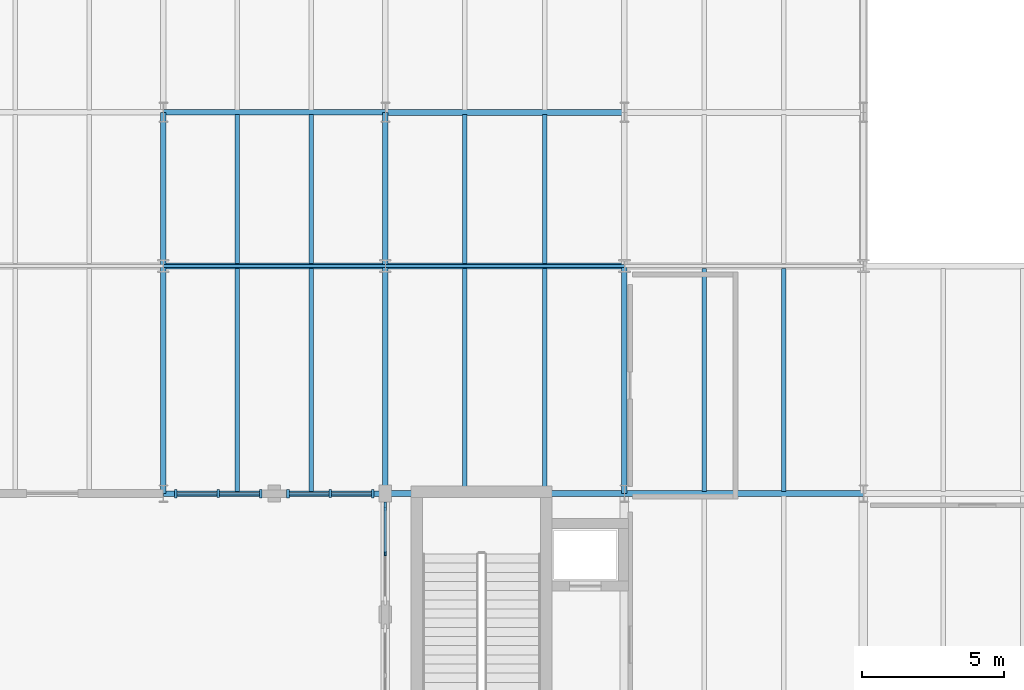
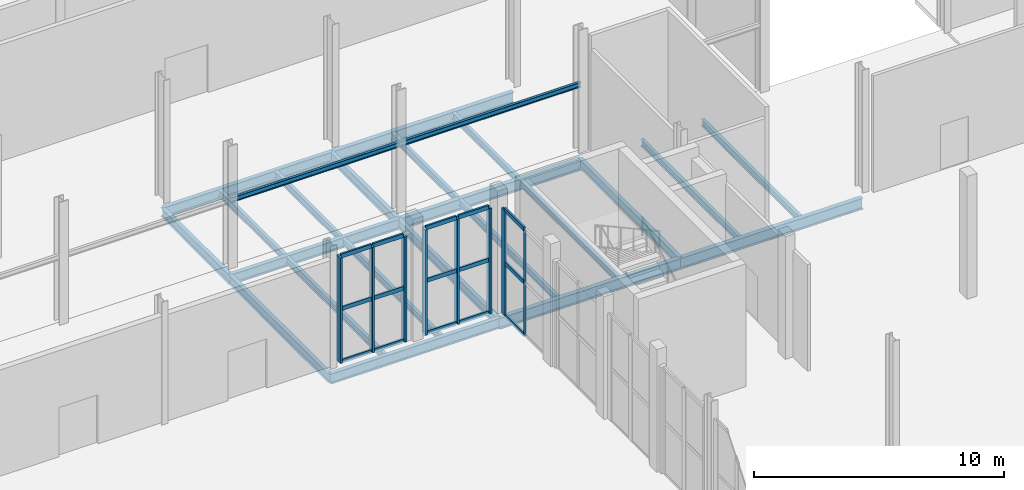
# One storey, part 38 of 84: 24 beams, 23 members, 3 elements without a shape of their own.
"""IFC4 building model written with IfcOpenShell, lengths in metres."""

import ifcopenshell
import ifcopenshell.guid

model = None  # the IFC model being written
_history = None  # IfcOwnerHistory: only IFC2X3 demands one
_inside = {}  # id of a spatial element -> (the spatial element, [elements in it])
_under = {}  # id of a project, library or spatial element -> (it, [spatial elements below it])
_declared = {}  # id of a project -> (the project, [libraries it declares])
_typed = {}  # id of a type object -> (the type object, [elements of that type])
_made_of = {}  # id of a material, layer set ... -> (it, [elements and type objects made of it])


def new_model(schema):
    """Start an empty IFC model of exactly this schema.

    Asked for "IFC4X3", IfcOpenShell would pick the latest addendum, in which some entities
    have other attributes; the version numbers below select the first issue.
    IFC2X3 requires an IfcOwnerHistory on every rooted entity: one is made here for all.
    """
    global model, _history
    if schema == "IFC4X3":
        model = ifcopenshell.file(schema_version=(4, 3, 0, 0))
    else:
        model = ifcopenshell.file(schema=schema)
    _inside.clear()
    _under.clear()
    _declared.clear()
    _typed.clear()
    _made_of.clear()
    _history = None
    if model.schema == "IFC2X3":
        org = make("IfcOrganization", Name="unknown")
        user = make(
            "IfcPersonAndOrganization",
            ThePerson=make("IfcPerson", FamilyName="unknown"),
            TheOrganization=org,
        )
        app = make(
            "IfcApplication",
            ApplicationDeveloper=org,
            Version="unknown",
            ApplicationFullName="unknown",
            ApplicationIdentifier="unknown",
        )
        _history = make(
            "IfcOwnerHistory",
            OwningUser=user,
            OwningApplication=app,
            ChangeAction="ADDED",
            CreationDate=0,
        )
    return model


def make(cls, **values):
    """One entity of the class cls with the attributes given. An attribute that is None is left unset."""
    return model.create_entity(
        cls, **{name: value for name, value in values.items() if value is not None}
    )


def rooted(cls, **values):
    """An entity with a GlobalId (a new one), such as an element, a storey or a relation."""
    return make(cls, GlobalId=ifcopenshell.guid.new(), OwnerHistory=_history, **values)


def si_unit(unit_type, name, prefix=None):
    """IfcSIUnit, for example si_unit("LENGTHUNIT", "METRE", prefix="MILLI")."""
    return make("IfcSIUnit", UnitType=unit_type, Prefix=prefix, Name=name)


def assignment(units):
    """IfcUnitAssignment: the units of a project."""
    return None if units is None else make("IfcUnitAssignment", Units=units)


def point(xyz):
    """IfcCartesianPoint."""
    return None if xyz is None else make("IfcCartesianPoint", Coordinates=xyz)


def direction(xyz):
    """IfcDirection."""
    return None if xyz is None else make("IfcDirection", DirectionRatios=xyz)


def frame(location, z_axis=None, x_axis=None):
    """IfcAxis2Placement3D, a coordinate frame: its origin and axes. An axis left out is left unset."""
    return make(
        "IfcAxis2Placement3D",
        Location=point(location),
        Axis=direction(z_axis),
        RefDirection=direction(x_axis),
    )


def frame_2d(location, x_axis=None):
    """IfcAxis2Placement2D, a coordinate frame in the plane: its origin and x axis."""
    return make(
        "IfcAxis2Placement2D", Location=point(location), RefDirection=direction(x_axis)
    )


def origin():
    """The frame at (0, 0, 0) with its axes left unset."""
    return frame((0.0, 0.0, 0.0))


def origin_2d():
    """The frame at (0, 0) in the plane with its x axis left unset."""
    return frame_2d((0.0, 0.0))


def place(relative_to, where):
    """IfcLocalPlacement: puts the frame where relative to a parent placement (None: the world)."""
    return make(
        "IfcLocalPlacement", PlacementRelTo=relative_to, RelativePlacement=where
    )


def context(
    kind, dimensions, precision=None, world=None, true_north=None, identifier=None
):
    """IfcGeometricRepresentationContext, for example the 3D "Model" context."""
    return make(
        "IfcGeometricRepresentationContext",
        ContextIdentifier=identifier,
        ContextType=kind,
        CoordinateSpaceDimension=dimensions,
        Precision=precision,
        WorldCoordinateSystem=world,
        TrueNorth=true_north,
    )


def subcontext(parent, identifier, kind, view, scale=None):
    """IfcGeometricRepresentationSubContext, for example "Body" below "Model"."""
    return make(
        "IfcGeometricRepresentationSubContext",
        ContextIdentifier=identifier,
        ContextType=kind,
        ParentContext=parent,
        TargetScale=scale,
        TargetView=view,
    )


def project(units=None, contexts=None):
    """IfcProject with its units and contexts."""
    return rooted(
        "IfcProject",
        Name="project",
        RepresentationContexts=contexts,
        UnitsInContext=assignment(units),
    )


def spatial(cls, under=None, at=None, **own):
    """A site, building, storey or space (cls), placed at a placement, below another one or the project."""
    s = rooted(cls, ObjectPlacement=at, **own)
    if under is not None:
        _under.setdefault(under.id(), (under, []))[1].append(s)
    return s


def profile(cls, at=None, kind="AREA", **sizes):
    """A parametric profile (cls). Its sizes go by their IFC names, for example OverallWidth=200.0."""
    return make(cls, ProfileType=kind, Position=at, **sizes)


def rectangle(**sizes):
    """IfcRectangleProfileDef."""
    return profile("IfcRectangleProfileDef", **sizes)


def i_section(**sizes):
    """IfcIShapeProfileDef."""
    return profile("IfcIShapeProfileDef", **sizes)


def extrude(swept, where, along, depth):
    """IfcExtrudedAreaSolid: the profile swept, set in the frame where, extruded along a direction by depth."""
    return make(
        "IfcExtrudedAreaSolid",
        SweptArea=swept,
        Position=where,
        ExtrudedDirection=direction(along),
        Depth=depth,
    )


def shape(context_of_items, identifier, shape_type, items):
    """IfcShapeRepresentation: the items that make up one representation, for example the "Body"."""
    return make(
        "IfcShapeRepresentation",
        ContextOfItems=context_of_items,
        RepresentationIdentifier=identifier,
        RepresentationType=shape_type,
        Items=items,
    )


def material(Name=None, Category=None):
    """IfcMaterial."""
    return make("IfcMaterial", Name=Name, Category=Category)


def layer(
    of_material, thickness, ventilated=None, Name=None, Category=None, Priority=None
):
    """IfcMaterialLayer: one layer of a wall or slab, of a material (None: an air gap)."""
    return make(
        "IfcMaterialLayer",
        Material=of_material,
        LayerThickness=thickness,
        IsVentilated=ventilated,
        Name=Name,
        Category=Category,
        Priority=Priority,
    )


def layer_set(layers, Name=None):
    """IfcMaterialLayerSet."""
    return make("IfcMaterialLayerSet", MaterialLayers=layers, LayerSetName=Name)


def material_profile(
    of_material, cross_section, Name=None, Category=None, Priority=None
):
    """IfcMaterialProfile: a cross section and its material."""
    return make(
        "IfcMaterialProfile",
        Name=Name,
        Material=of_material,
        Profile=cross_section,
        Priority=Priority,
        Category=Category,
    )


def profile_set(profiles, Name=None, composite=None):
    """IfcMaterialProfileSet."""
    return make(
        "IfcMaterialProfileSet",
        Name=Name,
        MaterialProfiles=profiles,
        CompositeProfile=composite,
    )


def made_of(thing, what):
    """Note that an element or type object is made of a material, layer set ...; save() writes the relation."""
    if what is not None:
        _made_of.setdefault(what.id(), (what, []))[1].append(thing)
    return thing


def type_object(cls, material=None, **own):
    """A type object (cls), such as IfcWallType, which elements share."""
    return made_of(rooted(cls, **own), material)


def element(
    cls,
    number,
    at=None,
    inside=None,
    cuts=None,
    type_object=None,
    material=None,
    context=None,
    identifier="Body",
    shape_type=None,
    held_by="IfcProductDefinitionShape",
    body=None,
    shapes=None,
    **own,
):
    """One element of the class cls, such as IfcWall. Its Tag is "e" and its number.

    at: its placement. inside: the storey or other place that contains it. cuts: it is an
    opening in that element (IfcRelVoidsElement). A single representation is given by context,
    identifier, shape_type and body (its items); several are given by shapes. held_by: the class
    of the entity that holds the representations. save() writes the other relations.
    """
    e = rooted(cls, Tag="e%d" % number, ObjectPlacement=at, **own)
    if body is not None:
        shapes = [shape(context, identifier, shape_type, body)]
    if shapes is not None:
        e.Representation = make(held_by, Representations=shapes)
    if inside is not None:
        _inside.setdefault(inside.id(), (inside, []))[1].append(e)
    if cuts is not None:
        rooted(
            "IfcRelVoidsElement", RelatingBuildingElement=cuts, RelatedOpeningElement=e
        )
    if type_object is not None:
        _typed.setdefault(type_object.id(), (type_object, []))[1].append(e)
    return made_of(e, material)


def aggregate(whole, parts):
    """IfcRelAggregates: a whole, such as a stair, and the parts it consists of."""
    return rooted("IfcRelAggregates", RelatingObject=whole, RelatedObjects=parts)


def save(model, path):
    """Write the relations noted so far, then the file.

    IfcRelAggregates (storeys below a building ...), IfcRelContainedInSpatialStructure (elements
    in a storey), IfcRelDefinesByType, IfcRelAssociatesMaterial and IfcRelDeclares: one each for
    every whole, place, type object, material and project.
    """
    for whole, parts in _under.values():
        aggregate(whole, parts)
    for where, things in _inside.values():
        rooted(
            "IfcRelContainedInSpatialStructure",
            RelatedElements=things,
            RelatingStructure=where,
        )
    for kind, things in _typed.values():
        rooted("IfcRelDefinesByType", RelatedObjects=things, RelatingType=kind)
    for what, things in _made_of.values():
        rooted("IfcRelAssociatesMaterial", RelatedObjects=things, RelatingMaterial=what)
    for by, libraries in _declared.values():
        rooted("IfcRelDeclares", RelatingContext=by, RelatedDefinitions=libraries)
    model.write(path)


model = new_model("IFC4")

# Units and contexts
model_context = context("Model", 3, precision=1e-05, world=origin(), true_north=direction((0.0, 1.0)))
body_context = subcontext(model_context, "Body", "Model", "MODEL_VIEW")
ifc_project = project(units=[si_unit("LENGTHUNIT", "METRE"), si_unit("AREAUNIT", "SQUARE_METRE"), si_unit("VOLUMEUNIT", "CUBIC_METRE"), si_unit("PLANEANGLEUNIT", "RADIAN"), si_unit("MASSUNIT", "GRAM", prefix="KILO")], contexts=[model_context])

# Site, building, storey
site_placement = place(None, origin())
site = spatial("IfcSite", under=ifc_project, at=site_placement, CompositionType="ELEMENT")
building_placement = place(site_placement, origin())
building = spatial("IfcBuilding", under=site, at=building_placement, Name="Sefraquen Railside Congress Hotel", CompositionType="ELEMENT")
storey_placement = place(building_placement, origin())
storey = spatial("IfcBuildingStorey", under=building, at=storey_placement, Name="L00", CompositionType="ELEMENT", Elevation=0.0)

# Beams
ifc_material_1 = material(Name="Steel S355JR", Category="steel")
ifc_material_profile_1 = material_profile(ifc_material_1, i_section(OverallWidth=0.18994140625, OverallDepth=0.449951171875, WebThickness=0.009521484375, FlangeThickness=0.0146484375, FilletRadius=0.02099609375, at=origin_2d()), Name="IPE 450")
ifc_profile_set_1 = profile_set([ifc_material_profile_1], Name="Steel S355JR")
beam_type_1 = type_object("IfcBeamType", Name="TB-BM-450", PredefinedType="BEAM", material=ifc_profile_set_1)
beam_1_placement = place(storey_placement, frame((95.39990234375, 88.0, -0.625), z_axis=(0.0, 1.0, 0.0), x_axis=(-1.0, 0.0, 0.0)))
element("IfcBeam", 1, at=beam_1_placement, inside=storey, type_object=beam_type_1, Name="Floor beam BM-L00-0268", PredefinedType="BEAM", context=body_context, shape_type="SweptSolid", body=[
    extrude(i_section(OverallWidth=0.18994140625, OverallDepth=0.449951171875, WebThickness=0.009521484375, FlangeThickness=0.0146484375, FilletRadius=0.02099609375, at=origin_2d()), origin(), (0.0, 0.0, 1.0), 8.0),
])
beam_2_placement = place(storey_placement, frame((95.39990234375, 96.0, -0.625), z_axis=(0.0, 1.0, 0.0), x_axis=(-1.0, 0.0, 0.0)))
element("IfcBeam", 2, at=beam_2_placement, inside=storey, type_object=beam_type_1, Name="Floor beam BM-L00-0269", PredefinedType="BEAM", context=body_context, shape_type="SweptSolid", body=[
    extrude(i_section(OverallWidth=0.18994140625, OverallDepth=0.449951171875, WebThickness=0.009521484375, FlangeThickness=0.0146484375, FilletRadius=0.02099609375, at=origin_2d()), origin(), (0.0, 0.0, 1.0), 5.39990234375),
])
beam_3_placement = place(storey_placement, frame((103.199951171875, 88.0, -0.625), z_axis=(0.0, 1.0, 0.0), x_axis=(-1.0, 0.0, 0.0)))
element("IfcBeam", 3, at=beam_3_placement, inside=storey, type_object=beam_type_1, Name="Floor beam BM-L00-0281", PredefinedType="BEAM", context=body_context, shape_type="SweptSolid", body=[
    extrude(i_section(OverallWidth=0.18994140625, OverallDepth=0.449951171875, WebThickness=0.009521484375, FlangeThickness=0.0146484375, FilletRadius=0.02099609375, at=origin_2d()), origin(), (0.0, 0.0, 1.0), 8.0),
])
beam_4_placement = place(storey_placement, frame((103.199951171875, 96.0, -0.625), z_axis=(0.0, 1.0, 0.0), x_axis=(-1.0, 0.0, 0.0)))
element("IfcBeam", 4, at=beam_4_placement, inside=storey, type_object=beam_type_1, Name="Floor beam BM-L00-0282", PredefinedType="BEAM", context=body_context, shape_type="SweptSolid", body=[
    extrude(i_section(OverallWidth=0.18994140625, OverallDepth=0.449951171875, WebThickness=0.009521484375, FlangeThickness=0.0146484375, FilletRadius=0.02099609375, at=origin_2d()), origin(), (0.0, 0.0, 1.0), 5.39990234375),
])
beam_5_placement = place(storey_placement, frame((111.60009765625, 88.0, -0.625), z_axis=(0.0, 1.0, 0.0), x_axis=(-1.0, 0.0, 0.0)))
element("IfcBeam", 5, at=beam_5_placement, inside=storey, type_object=beam_type_1, Name="Floor beam BM-L00-0289", PredefinedType="BEAM", context=body_context, shape_type="SweptSolid", body=[
    extrude(i_section(OverallWidth=0.18994140625, OverallDepth=0.449951171875, WebThickness=0.009521484375, FlangeThickness=0.0146484375, FilletRadius=0.02099609375, at=origin_2d()), origin(), (0.0, 0.0, 1.0), 8.0),
])
ifc_material_profile_2 = material_profile(ifc_material_1, i_section(OverallWidth=0.199951171875, OverallDepth=0.5, WebThickness=0.01025390625, FlangeThickness=0.01611328125, FilletRadius=0.02099609375, at=origin_2d()), Name="IPE 500")
ifc_profile_set_2 = profile_set([ifc_material_profile_2], Name="Steel S355JR")
beam_type_2 = type_object("IfcBeamType", Name="TB-BM-500", PredefinedType="BEAM", material=ifc_profile_set_2)
for number, where, z_axis, x_axis, name in (
    (6, (95.39990234375, 88.0, -0.64990234375), (1.0, 0.0, 0.0), (0.0, 1.0, 0.0), "Primary girder BM-L00-0110"),
    (7, (95.39990234375, 96.0, -0.64990234375), (1.0, 0.0, 0.0), (0.0, 1.0, 0.0), "Primary girder BM-L00-0126"),
    (8, (95.39990234375, 101.39990234375, -0.64990234375), (1.0, 0.0, 0.0), (0.0, 1.0, 0.0), "Primary girder BM-L00-0144"),
):
    element("IfcBeam", number, at=place(storey_placement, frame(where, z_axis=z_axis, x_axis=x_axis)), inside=storey, type_object=beam_type_2, Name=name, PredefinedType="BEAM", context=body_context, shape_type="SweptSolid", body=[
        extrude(i_section(OverallWidth=0.199951171875, OverallDepth=0.5, WebThickness=0.01025390625, FlangeThickness=0.01611328125, FilletRadius=0.02099609375, at=origin_2d()), origin(), (0.0, 0.0, 1.0), 7.800048828125),
    ])
ifc_material_profile_3 = material_profile(ifc_material_1, i_section(OverallWidth=0.2099609375, OverallDepth=0.550048828125, WebThickness=0.010986328125, FlangeThickness=0.01708984375, FilletRadius=0.02392578125, at=origin_2d()), Name="IPE 550")
ifc_profile_set_3 = profile_set([ifc_material_profile_3], Name="Steel S355JR")
beam_type_3 = type_object("IfcBeamType", Name="TB-GIR-550", PredefinedType="T_BEAM", material=ifc_profile_set_3)
beam_6_placement = place(storey_placement, frame((103.199951171875, 88.0, -0.675048828125), z_axis=(1.0, 0.0, 0.0), x_axis=(0.0, 1.0, 0.0)))
element("IfcBeam", 9, at=beam_6_placement, inside=storey, type_object=beam_type_3, Name="Primary girder BM-L00-0111", PredefinedType="T_BEAM", context=body_context, shape_type="SweptSolid", body=[
    extrude(i_section(OverallWidth=0.2099609375, OverallDepth=0.550048828125, WebThickness=0.010986328125, FlangeThickness=0.01708984375, FilletRadius=0.02392578125, at=origin_2d()), origin(), (0.0, 0.0, 1.0), 8.400146484375),
])
beam_7_placement = place(storey_placement, frame((111.60009765625, 88.0, -0.675048828125), z_axis=(1.0, 0.0, 0.0), x_axis=(0.0, 1.0, 0.0)))
element("IfcBeam", 10, at=beam_7_placement, inside=storey, type_object=beam_type_3, Name="Primary girder BM-L00-0112", PredefinedType="T_BEAM", context=body_context, shape_type="SweptSolid", body=[
    extrude(i_section(OverallWidth=0.2099609375, OverallDepth=0.550048828125, WebThickness=0.010986328125, FlangeThickness=0.01708984375, FilletRadius=0.02392578125, at=origin_2d()), origin(), (0.0, 0.0, 1.0), 8.39990234375),
])
for number, where, z_axis, x_axis, name in (
    (11, (103.199951171875, 96.0, -0.675048828125), (1.0, 0.0, 0.0), (0.0, 1.0, 0.0), "Primary girder BM-L00-0127"),
    (12, (103.199951171875, 101.39990234375, -0.675048828125), (1.0, 0.0, 0.0), (0.0, 1.0, 0.0), "Primary girder BM-L00-0145"),
):
    element("IfcBeam", number, at=place(storey_placement, frame(where, z_axis=z_axis, x_axis=x_axis)), inside=storey, type_object=beam_type_3, Name=name, PredefinedType="T_BEAM", context=body_context, shape_type="SweptSolid", body=[
        extrude(i_section(OverallWidth=0.2099609375, OverallDepth=0.550048828125, WebThickness=0.010986328125, FlangeThickness=0.01708984375, FilletRadius=0.02392578125, at=origin_2d()), origin(), (0.0, 0.0, 1.0), 8.400146484375),
    ])
ifc_material_profile_4 = material_profile(ifc_material_1, i_section(OverallWidth=0.159912109375, OverallDepth=0.330078125, WebThickness=0.007568359375, FlangeThickness=0.011474609375, FilletRadius=0.01806640625, at=origin_2d()), Name="IPE 330")
ifc_profile_set_4 = profile_set([ifc_material_profile_4], Name="Steel S355JR")
beam_type_4 = type_object("IfcBeamType", Name="TB-JST-330", PredefinedType="JOIST", material=ifc_profile_set_4)
for number, where, z_axis, x_axis, name in (
    (13, (98.0, 88.080078125, -0.56494140625), (0.0, 1.0, 0.0), (-1.0, 0.0, 0.0), "Composite floor joist BM-L00-J0148"),
    (14, (100.60009765625, 88.080078125, -0.56494140625), (0.0, 1.0, 0.0), (-1.0, 0.0, 0.0), "Composite floor joist BM-L00-J0149"),
):
    element("IfcBeam", number, at=place(storey_placement, frame(where, z_axis=z_axis, x_axis=x_axis)), inside=storey, type_object=beam_type_4, Name=name, PredefinedType="JOIST", context=body_context, shape_type="SweptSolid", body=[
        extrude(i_section(OverallWidth=0.159912109375, OverallDepth=0.330078125, WebThickness=0.007568359375, FlangeThickness=0.011474609375, FilletRadius=0.01806640625, at=origin_2d()), origin(), (0.0, 0.0, 1.0), 7.83984375),
    ])
for number, where, z_axis, x_axis, name in (
    (15, (98.0, 96.080078125, -0.56494140625), (0.0, 1.0, 0.0), (-1.0, 0.0, 0.0), "Composite floor joist BM-L00-J0150"),
    (16, (100.60009765625, 96.080078125, -0.56494140625), (0.0, 1.0, 0.0), (-1.0, 0.0, 0.0), "Composite floor joist BM-L00-J0151"),
):
    element("IfcBeam", number, at=place(storey_placement, frame(where, z_axis=z_axis, x_axis=x_axis)), inside=storey, type_object=beam_type_4, Name=name, PredefinedType="JOIST", context=body_context, shape_type="SweptSolid", body=[
        extrude(i_section(OverallWidth=0.159912109375, OverallDepth=0.330078125, WebThickness=0.007568359375, FlangeThickness=0.011474609375, FilletRadius=0.01806640625, at=origin_2d()), origin(), (0.0, 0.0, 1.0), 5.239990234375),
    ])
for number, where, z_axis, x_axis, name in (
    (17, (106.0, 88.0849609375, -0.56494140625), (0.0, 1.0, 0.0), (-1.0, 0.0, 0.0), "Composite floor joist BM-L00-J0156"),
    (18, (108.800048828125, 88.0849609375, -0.56494140625), (0.0, 1.0, 0.0), (-1.0, 0.0, 0.0), "Composite floor joist BM-L00-J0157"),
):
    element("IfcBeam", number, at=place(storey_placement, frame(where, z_axis=z_axis, x_axis=x_axis)), inside=storey, type_object=beam_type_4, Name=name, PredefinedType="JOIST", context=body_context, shape_type="SweptSolid", body=[
        extrude(i_section(OverallWidth=0.159912109375, OverallDepth=0.330078125, WebThickness=0.007568359375, FlangeThickness=0.011474609375, FilletRadius=0.01806640625, at=origin_2d()), origin(), (0.0, 0.0, 1.0), 7.830078125),
    ])
for number, where, z_axis, x_axis, name in (
    (19, (106.0, 96.0849609375, -0.56494140625), (0.0, 1.0, 0.0), (-1.0, 0.0, 0.0), "Composite floor joist BM-L00-J0158"),
    (20, (108.800048828125, 96.0849609375, -0.56494140625), (0.0, 1.0, 0.0), (-1.0, 0.0, 0.0), "Composite floor joist BM-L00-J0159"),
):
    element("IfcBeam", number, at=place(storey_placement, frame(where, z_axis=z_axis, x_axis=x_axis)), inside=storey, type_object=beam_type_4, Name=name, PredefinedType="JOIST", context=body_context, shape_type="SweptSolid", body=[
        extrude(i_section(OverallWidth=0.159912109375, OverallDepth=0.330078125, WebThickness=0.007568359375, FlangeThickness=0.011474609375, FilletRadius=0.01806640625, at=origin_2d()), origin(), (0.0, 0.0, 1.0), 5.22998046875),
    ])
for number, where, z_axis, x_axis, name in (
    (21, (114.39990234375, 88.0849609375, -0.56494140625), (0.0, 1.0, 0.0), (-1.0, 0.0, 0.0), "Composite floor joist BM-L00-J0168"),
    (22, (117.199951171875, 88.0849609375, -0.56494140625), (0.0, 1.0, 0.0), (-1.0, 0.0, 0.0), "Composite floor joist BM-L00-J0169"),
):
    element("IfcBeam", number, at=place(storey_placement, frame(where, z_axis=z_axis, x_axis=x_axis)), inside=storey, type_object=beam_type_4, Name=name, PredefinedType="JOIST", context=body_context, shape_type="SweptSolid", body=[
        extrude(i_section(OverallWidth=0.159912109375, OverallDepth=0.330078125, WebThickness=0.007568359375, FlangeThickness=0.011474609375, FilletRadius=0.01806640625, at=origin_2d()), origin(), (0.0, 0.0, 1.0), 7.830078125),
    ])
ifc_material_profile_5 = material_profile(ifc_material_1, i_section(OverallWidth=0.1201171875, OverallDepth=0.239990234375, WebThickness=0.006103515625, FlangeThickness=0.009765625, FilletRadius=0.014892578125, at=origin_2d()), Name="IPE 240")
ifc_profile_set_5 = profile_set([ifc_material_profile_5], Name="Steel S355JR")
beam_type_5 = type_object("IfcBeamType", Name="TB-LNT-240", PredefinedType="LINTEL", material=ifc_profile_set_5)
beam_8_placement = place(storey_placement, frame((95.39990234375, 96.0, 3.199951171875), z_axis=(1.0, 0.0, 0.0), x_axis=(0.0, 1.0, 0.0)))
element("IfcBeam", 23, at=beam_8_placement, inside=storey, type_object=beam_type_5, Name="Portal opening lintel beam 10", PredefinedType="LINTEL", context=body_context, shape_type="SweptSolid", body=[
    extrude(i_section(OverallWidth=0.1201171875, OverallDepth=0.239990234375, WebThickness=0.006103515625, FlangeThickness=0.009765625, FilletRadius=0.014892578125, at=origin_2d()), origin(), (0.0, 0.0, 1.0), 7.800048828125),
])
beam_9_placement = place(storey_placement, frame((103.199951171875, 96.0, 3.199951171875), z_axis=(1.0, 0.0, 0.0), x_axis=(0.0, 1.0, 0.0)))
element("IfcBeam", 24, at=beam_9_placement, inside=storey, type_object=beam_type_5, Name="Portal opening lintel beam 11", PredefinedType="LINTEL", context=body_context, shape_type="SweptSolid", body=[
    extrude(i_section(OverallWidth=0.1201171875, OverallDepth=0.239990234375, WebThickness=0.006103515625, FlangeThickness=0.009765625, FilletRadius=0.014892578125, at=origin_2d()), origin(), (0.0, 0.0, 1.0), 8.400146484375),
])

# Curtain wall, member
ifc_material_2 = material(Name="Thermally broken anodised aluminium and low-E double glazing", Category="aluminium")
ifc_layer_1 = layer(ifc_material_2, 0.199951171875)
ifc_layer_set_1 = layer_set([ifc_layer_1], Name="Thermally broken anodised aluminium and low-E double glazing")
curtain_wall_type_1 = type_object("IfcCurtainWallType", Name="TCW-UCW-22", PredefinedType="USERDEFINED", material=ifc_layer_set_1)
curtain_wall_1_placement = place(storey_placement, origin())
curtain_wall_1 = element("IfcCurtainWall", 25, at=curtain_wall_1_placement, inside=storey, type_object=curtain_wall_type_1, Name="Courtyard east arcade curtain wall UCW-22 bay 2", ObjectType="UNITISED CURTAIN WALL", PredefinedType="USERDEFINED")
ifc_material_3 = material(Name="Thermally broken anodised aluminium 6063-T6", Category="aluminium")
ifc_material_profile_6 = material_profile(ifc_material_3, rectangle(XDim=0.06005859375, YDim=0.159912109375, at=origin_2d()), Name="CWM 60x160")
ifc_profile_set_6 = profile_set([ifc_material_profile_6], Name="Thermally broken anodised aluminium 6063-T6")
member_type_1 = type_object("IfcMemberType", Name="TM-CWM-01", PredefinedType="MULLION", material=ifc_profile_set_6)
member_1_placement = place(storey_placement, frame((103.199951171875, 85.89501953125, 0.0), z_axis=(0.0, 0.0, 1.0), x_axis=(1.0, 0.0, 0.0)))
member_1 = element("IfcMember", 26, at=member_1_placement, type_object=member_type_1, Name="CW-L00-022-S2 mullion 2", PredefinedType="MULLION", context=body_context, shape_type="SweptSolid", body=[
    extrude(rectangle(XDim=0.06005859375, YDim=0.159912109375, at=origin_2d()), origin(), (0.0, 0.0, 1.0), 5.14990234375),
])

ifc_layer_2 = layer(ifc_material_2, 0.199951171875)
ifc_layer_set_2 = layer_set([ifc_layer_2], Name="Thermally broken anodised aluminium and low-E double glazing")
curtain_wall_type_2 = type_object("IfcCurtainWallType", Name="TCW-UCW-14", PredefinedType="USERDEFINED", material=ifc_layer_set_2)
curtain_wall_2_placement = place(storey_placement, origin())
curtain_wall_2 = element("IfcCurtainWall", 27, at=curtain_wall_2_placement, inside=storey, type_object=curtain_wall_type_2, Name="Courtyard north arcade curtain wall UCW-14", ObjectType="UNITISED CURTAIN WALL", PredefinedType="USERDEFINED")
ifc_material_profile_7 = material_profile(ifc_material_3, rectangle(XDim=0.090087890625, YDim=0.280029296875, at=origin_2d()), Name="CWM 90x280")
ifc_profile_set_7 = profile_set([ifc_material_profile_7], Name="Thermally broken anodised aluminium 6063-T6")
member_type_2 = type_object("IfcMemberType", Name="TM-CWM-07", PredefinedType="MULLION", material=ifc_profile_set_7)
member_2_placement = place(storey_placement, frame((97.330078125, 88.0, 0.0), z_axis=(0.0, 0.0, 1.0), x_axis=(1.0, 0.0, 0.0)))
member_2 = element("IfcMember", 28, at=member_2_placement, type_object=member_type_2, Name="CW-L00-014 mullion 2", PredefinedType="MULLION", context=body_context, shape_type="SweptSolid", body=[
    extrude(rectangle(XDim=0.090087890625, YDim=0.280029296875, at=origin_2d()), origin(), (0.0, 0.0, 1.0), 5.14990234375),
])

curtain_wall_3_placement = place(storey_placement, origin())
curtain_wall_3 = element("IfcCurtainWall", 29, at=curtain_wall_3_placement, inside=storey, type_object=curtain_wall_type_2, Name="Courtyard north arcade curtain wall UCW-14 bay 2", ObjectType="UNITISED CURTAIN WALL", PredefinedType="USERDEFINED")
member_3_placement = place(storey_placement, frame((101.27001953125, 88.0, 0.0), z_axis=(0.0, 0.0, 1.0), x_axis=(1.0, 0.0, 0.0)))
member_3 = element("IfcMember", 30, at=member_3_placement, type_object=member_type_2, Name="CW-L00-014-S2 mullion 2", PredefinedType="MULLION", context=body_context, shape_type="SweptSolid", body=[
    extrude(rectangle(XDim=0.090087890625, YDim=0.280029296875, at=origin_2d()), origin(), (0.0, 0.0, 1.0), 5.14990234375),
])

# Member
ifc_material_profile_8 = material_profile(ifc_material_3, rectangle(XDim=0.094970703125, YDim=0.300048828125, at=origin_2d()), Name="CWM 95x300")
ifc_profile_set_8 = profile_set([ifc_material_profile_8], Name="Thermally broken anodised aluminium 6063-T6")
member_type_3 = type_object("IfcMemberType", Name="TM-CWM-08", PredefinedType="MULLION", material=ifc_profile_set_8)
member_4_placement = place(storey_placement, frame((95.840087890625, 88.0, 0.0), z_axis=(0.0, 0.0, 1.0), x_axis=(1.0, 0.0, 0.0)))
member_4 = element("IfcMember", 31, at=member_4_placement, type_object=member_type_3, Name="CW-L00-014 mullion 1", PredefinedType="MULLION", context=body_context, shape_type="SweptSolid", body=[
    extrude(rectangle(XDim=0.094970703125, YDim=0.300048828125, at=origin_2d()), origin(), (0.0, 0.0, 1.0), 5.14990234375),
])

member_5_placement = place(storey_placement, frame((98.820068359375, 88.0, 0.0), z_axis=(0.0, 0.0, 1.0), x_axis=(1.0, 0.0, 0.0)))
member_5 = element("IfcMember", 32, at=member_5_placement, type_object=member_type_3, Name="CW-L00-014 mullion 3", PredefinedType="MULLION", context=body_context, shape_type="SweptSolid", body=[
    extrude(rectangle(XDim=0.094970703125, YDim=0.300048828125, at=origin_2d()), origin(), (0.0, 0.0, 1.0), 5.14990234375),
])

member_6_placement = place(storey_placement, frame((99.780029296875, 88.0, 0.0), z_axis=(0.0, 0.0, 1.0), x_axis=(1.0, 0.0, 0.0)))
member_6 = element("IfcMember", 33, at=member_6_placement, type_object=member_type_3, Name="CW-L00-014-S2 mullion 1", PredefinedType="MULLION", context=body_context, shape_type="SweptSolid", body=[
    extrude(rectangle(XDim=0.094970703125, YDim=0.300048828125, at=origin_2d()), origin(), (0.0, 0.0, 1.0), 5.14990234375),
])

member_7_placement = place(storey_placement, frame((102.760009765625, 88.0, 0.0), z_axis=(0.0, 0.0, 1.0), x_axis=(1.0, 0.0, 0.0)))
member_7 = element("IfcMember", 34, at=member_7_placement, type_object=member_type_3, Name="CW-L00-014-S2 mullion 3", PredefinedType="MULLION", context=body_context, shape_type="SweptSolid", body=[
    extrude(rectangle(XDim=0.094970703125, YDim=0.300048828125, at=origin_2d()), origin(), (0.0, 0.0, 1.0), 5.14990234375),
])

member_8_placement = place(storey_placement, frame((103.199951171875, 87.56005859375, 0.0), z_axis=(0.0, 0.0, 1.0), x_axis=(1.0, 0.0, 0.0)))
member_8 = element("IfcMember", 35, at=member_8_placement, type_object=member_type_3, Name="CW-L00-022-S2 mullion 3", PredefinedType="MULLION", context=body_context, shape_type="SweptSolid", body=[
    extrude(rectangle(XDim=0.094970703125, YDim=0.300048828125, at=origin_2d()), origin(), (0.0, 0.0, 1.0), 5.14990234375),
])

ifc_material_profile_9 = material_profile(ifc_material_3, rectangle(XDim=0.0849609375, YDim=0.195068359375, at=origin_2d()), Name="CWT 85x195")
ifc_profile_set_9 = profile_set([ifc_material_profile_9], Name="Thermally broken anodised aluminium 6063-T6")
member_type_4 = type_object("IfcMemberType", Name="TM-CWT-06", PredefinedType="USERDEFINED", material=ifc_profile_set_9)
member_9_placement = place(storey_placement, frame((95.885009765625, 88.0, 0.0), z_axis=(1.0, 0.0, 0.0), x_axis=(0.0, 1.0, 0.0)))
member_9 = element("IfcMember", 36, at=member_9_placement, type_object=member_type_4, Name="CW-L00-014 transom 1.1", ObjectType="TRANSOM", PredefinedType="USERDEFINED", context=body_context, shape_type="SweptSolid", body=[
    extrude(rectangle(XDim=0.0849609375, YDim=0.195068359375, at=origin_2d()), origin(), (0.0, 0.0, 1.0), 1.39990234375),
])

member_10_placement = place(storey_placement, frame((97.375, 88.0, 0.0), z_axis=(1.0, 0.0, 0.0), x_axis=(0.0, 1.0, 0.0)))
member_10 = element("IfcMember", 37, at=member_10_placement, type_object=member_type_4, Name="CW-L00-014 transom 1.2", ObjectType="TRANSOM", PredefinedType="USERDEFINED", context=body_context, shape_type="SweptSolid", body=[
    extrude(rectangle(XDim=0.0849609375, YDim=0.195068359375, at=origin_2d()), origin(), (0.0, 0.0, 1.0), 1.39990234375),
])

member_11_placement = place(storey_placement, frame((95.885009765625, 88.0, 2.574951171875), z_axis=(1.0, 0.0, 0.0), x_axis=(0.0, 1.0, 0.0)))
member_11 = element("IfcMember", 38, at=member_11_placement, type_object=member_type_4, Name="CW-L00-014 transom 2.1", ObjectType="TRANSOM", PredefinedType="USERDEFINED", context=body_context, shape_type="SweptSolid", body=[
    extrude(rectangle(XDim=0.0849609375, YDim=0.195068359375, at=origin_2d()), origin(), (0.0, 0.0, 1.0), 1.39990234375),
])

member_12_placement = place(storey_placement, frame((97.375, 88.0, 2.574951171875), z_axis=(1.0, 0.0, 0.0), x_axis=(0.0, 1.0, 0.0)))
member_12 = element("IfcMember", 39, at=member_12_placement, type_object=member_type_4, Name="CW-L00-014 transom 2.2", ObjectType="TRANSOM", PredefinedType="USERDEFINED", context=body_context, shape_type="SweptSolid", body=[
    extrude(rectangle(XDim=0.0849609375, YDim=0.195068359375, at=origin_2d()), origin(), (0.0, 0.0, 1.0), 1.39990234375),
])

member_13_placement = place(storey_placement, frame((95.885009765625, 88.0, 5.14990234375), z_axis=(1.0, 0.0, 0.0), x_axis=(0.0, 1.0, 0.0)))
member_13 = element("IfcMember", 40, at=member_13_placement, type_object=member_type_4, Name="CW-L00-014 transom 3.1", ObjectType="TRANSOM", PredefinedType="USERDEFINED", context=body_context, shape_type="SweptSolid", body=[
    extrude(rectangle(XDim=0.0849609375, YDim=0.195068359375, at=origin_2d()), origin(), (0.0, 0.0, 1.0), 1.39990234375),
])

member_14_placement = place(storey_placement, frame((97.375, 88.0, 5.14990234375), z_axis=(1.0, 0.0, 0.0), x_axis=(0.0, 1.0, 0.0)))
member_14 = element("IfcMember", 41, at=member_14_placement, type_object=member_type_4, Name="CW-L00-014 transom 3.2", ObjectType="TRANSOM", PredefinedType="USERDEFINED", context=body_context, shape_type="SweptSolid", body=[
    extrude(rectangle(XDim=0.0849609375, YDim=0.195068359375, at=origin_2d()), origin(), (0.0, 0.0, 1.0), 1.39990234375),
])

aggregate(curtain_wall_2, [member_4, member_2, member_5, member_9, member_10, member_11, member_12, member_13, member_14])

member_15_placement = place(storey_placement, frame((99.824951171875, 88.0, 0.0), z_axis=(1.0, 0.0, 0.0), x_axis=(0.0, 1.0, 0.0)))
member_15 = element("IfcMember", 42, at=member_15_placement, type_object=member_type_4, Name="CW-L00-014-S2 transom 1.1", ObjectType="TRANSOM", PredefinedType="USERDEFINED", context=body_context, shape_type="SweptSolid", body=[
    extrude(rectangle(XDim=0.0849609375, YDim=0.195068359375, at=origin_2d()), origin(), (0.0, 0.0, 1.0), 1.400146484375),
])

member_16_placement = place(storey_placement, frame((101.31494140625, 88.0, 0.0), z_axis=(1.0, 0.0, 0.0), x_axis=(0.0, 1.0, 0.0)))
member_16 = element("IfcMember", 43, at=member_16_placement, type_object=member_type_4, Name="CW-L00-014-S2 transom 1.2", ObjectType="TRANSOM", PredefinedType="USERDEFINED", context=body_context, shape_type="SweptSolid", body=[
    extrude(rectangle(XDim=0.0849609375, YDim=0.195068359375, at=origin_2d()), origin(), (0.0, 0.0, 1.0), 1.400146484375),
])

member_17_placement = place(storey_placement, frame((99.824951171875, 88.0, 2.574951171875), z_axis=(1.0, 0.0, 0.0), x_axis=(0.0, 1.0, 0.0)))
member_17 = element("IfcMember", 44, at=member_17_placement, type_object=member_type_4, Name="CW-L00-014-S2 transom 2.1", ObjectType="TRANSOM", PredefinedType="USERDEFINED", context=body_context, shape_type="SweptSolid", body=[
    extrude(rectangle(XDim=0.0849609375, YDim=0.195068359375, at=origin_2d()), origin(), (0.0, 0.0, 1.0), 1.400146484375),
])

member_18_placement = place(storey_placement, frame((101.31494140625, 88.0, 2.574951171875), z_axis=(1.0, 0.0, 0.0), x_axis=(0.0, 1.0, 0.0)))
member_18 = element("IfcMember", 45, at=member_18_placement, type_object=member_type_4, Name="CW-L00-014-S2 transom 2.2", ObjectType="TRANSOM", PredefinedType="USERDEFINED", context=body_context, shape_type="SweptSolid", body=[
    extrude(rectangle(XDim=0.0849609375, YDim=0.195068359375, at=origin_2d()), origin(), (0.0, 0.0, 1.0), 1.400146484375),
])

member_19_placement = place(storey_placement, frame((99.824951171875, 88.0, 5.14990234375), z_axis=(1.0, 0.0, 0.0), x_axis=(0.0, 1.0, 0.0)))
member_19 = element("IfcMember", 46, at=member_19_placement, type_object=member_type_4, Name="CW-L00-014-S2 transom 3.1", ObjectType="TRANSOM", PredefinedType="USERDEFINED", context=body_context, shape_type="SweptSolid", body=[
    extrude(rectangle(XDim=0.0849609375, YDim=0.195068359375, at=origin_2d()), origin(), (0.0, 0.0, 1.0), 1.400146484375),
])

member_20_placement = place(storey_placement, frame((101.31494140625, 88.0, 5.14990234375), z_axis=(1.0, 0.0, 0.0), x_axis=(0.0, 1.0, 0.0)))
member_20 = element("IfcMember", 47, at=member_20_placement, type_object=member_type_4, Name="CW-L00-014-S2 transom 3.2", ObjectType="TRANSOM", PredefinedType="USERDEFINED", context=body_context, shape_type="SweptSolid", body=[
    extrude(rectangle(XDim=0.0849609375, YDim=0.195068359375, at=origin_2d()), origin(), (0.0, 0.0, 1.0), 1.400146484375),
])

aggregate(curtain_wall_3, [member_6, member_3, member_7, member_15, member_16, member_17, member_18, member_19, member_20])

member_21_placement = place(storey_placement, frame((103.199951171875, 85.93994140625, 0.0), z_axis=(0.0, 1.0, 0.0), x_axis=(-1.0, 0.0, 0.0)))
member_21 = element("IfcMember", 48, at=member_21_placement, type_object=member_type_4, Name="CW-L00-022-S2 transom 1.2", ObjectType="TRANSOM", PredefinedType="USERDEFINED", context=body_context, shape_type="SweptSolid", body=[
    extrude(rectangle(XDim=0.0849609375, YDim=0.195068359375, at=origin_2d()), origin(), (0.0, 0.0, 1.0), 1.574951171875),
])

member_22_placement = place(storey_placement, frame((103.199951171875, 85.93994140625, 2.574951171875), z_axis=(0.0, 1.0, 0.0), x_axis=(-1.0, 0.0, 0.0)))
member_22 = element("IfcMember", 49, at=member_22_placement, type_object=member_type_4, Name="CW-L00-022-S2 transom 2.2", ObjectType="TRANSOM", PredefinedType="USERDEFINED", context=body_context, shape_type="SweptSolid", body=[
    extrude(rectangle(XDim=0.0849609375, YDim=0.195068359375, at=origin_2d()), origin(), (0.0, 0.0, 1.0), 1.574951171875),
])

member_23_placement = place(storey_placement, frame((103.199951171875, 85.93994140625, 5.14990234375), z_axis=(0.0, 1.0, 0.0), x_axis=(-1.0, 0.0, 0.0)))
member_23 = element("IfcMember", 50, at=member_23_placement, type_object=member_type_4, Name="CW-L00-022-S2 transom 3.2", ObjectType="TRANSOM", PredefinedType="USERDEFINED", context=body_context, shape_type="SweptSolid", body=[
    extrude(rectangle(XDim=0.0849609375, YDim=0.195068359375, at=origin_2d()), origin(), (0.0, 0.0, 1.0), 1.574951171875),
])

aggregate(curtain_wall_1, [member_1, member_8, member_21, member_22, member_23])

save(model, "model.ifc")
